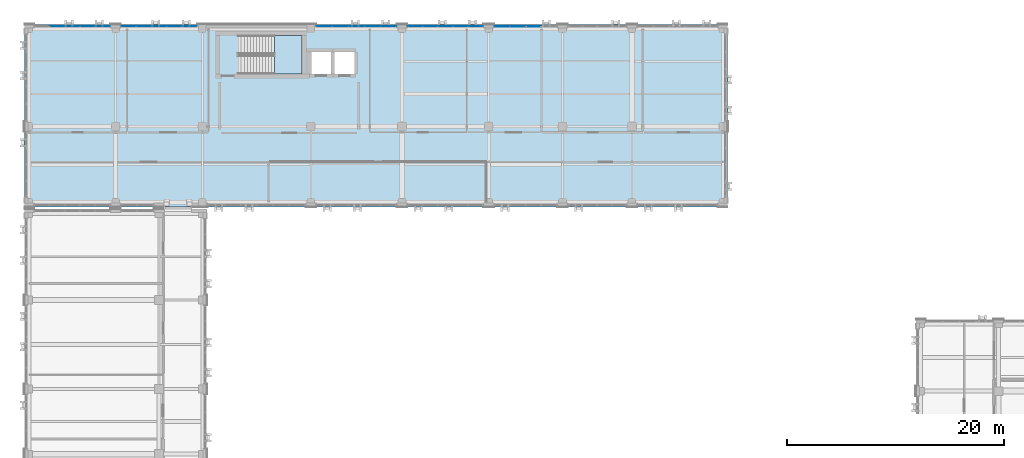
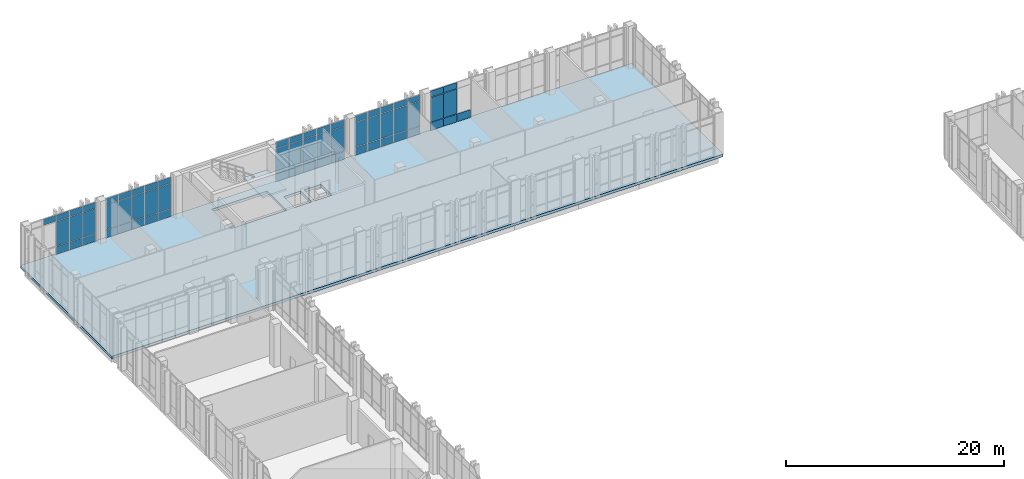
# One storey, part 144 of 189: 62 plates, 2 slabs, 6 elements without a shape of their own.
"""IFC4 building model written with IfcOpenShell, lengths in metres."""

from ifc_helpers import new_model, si_unit, direction, frame, origin, origin_2d, place, context, subcontext, project, spatial, polyline, rectangle, outline, extrude, material, layer, layer_set, type_object, element, aggregate, save


model = new_model("IFC4")

# Units and contexts
model_context = context("Model", 3, precision=1e-05, world=origin(), true_north=direction((0.0, 1.0)))
body_context = subcontext(model_context, "Body", "Model", "MODEL_VIEW")
ifc_project = project(units=[si_unit("LENGTHUNIT", "METRE"), si_unit("AREAUNIT", "SQUARE_METRE"), si_unit("VOLUMEUNIT", "CUBIC_METRE"), si_unit("PLANEANGLEUNIT", "RADIAN"), si_unit("MASSUNIT", "GRAM", prefix="KILO")], contexts=[model_context])

# Site, building, storey
site_placement = place(None, origin())
site = spatial("IfcSite", under=ifc_project, at=site_placement, CompositionType="ELEMENT")
building_placement = place(site_placement, origin())
building = spatial("IfcBuilding", under=site, at=building_placement, Name="Qalavern Law Courts", CompositionType="ELEMENT")
storey_placement = place(building_placement, frame((0.0, 0.0, 5.39990234375)))
storey = spatial("IfcBuildingStorey", under=building, at=storey_placement, Name="L01", CompositionType="ELEMENT", Elevation=5.39990234375)

# Curtain wall, plates
ifc_material_1 = material(Name="Anodised aluminium and insulated glazing", Category="aluminium")
ifc_layer_1 = layer(ifc_material_1, 0.166015625)
ifc_layer_set_1 = layer_set([ifc_layer_1], Name="Anodised aluminium and insulated glazing")
curtain_wall_type = type_object("IfcCurtainWallType", Name="ENV-CW-LIB", PredefinedType="USERDEFINED", material=ifc_layer_set_1)
curtain_wall_1_placement = place(storey_placement, origin())
curtain_wall_1 = element("IfcCurtainWall", 1, at=curtain_wall_1_placement, inside=storey, type_object=curtain_wall_type, Name="V5 unitised curtain wall L01 north 4", ObjectType="UNITISED CURTAIN WALL", PredefinedType="USERDEFINED")
ifc_material_2 = material(Name="Insulated low-E acoustic glazing", Category="glass")
ifc_layer_2 = layer(ifc_material_2, 0.02392578125)
ifc_layer_set_2 = layer_set([ifc_layer_2], Name="Insulated low-E acoustic glazing")
plate_type_1 = type_object("IfcPlateType", Name="ENV-CWP-24", PredefinedType="CURTAIN_PANEL", material=ifc_layer_set_2)
plate_1_placement = place(storey_placement, frame((43.587890625, 112.83740234375, 0.048095703125), z_axis=(0.0, 0.0, 1.0), x_axis=(-1.0, 0.0, 0.0)))
plate_1 = element("IfcPlate", 2, at=plate_1_placement, type_object=plate_type_1, Name="CW-05 panel 1.1", PredefinedType="CURTAIN_PANEL", context=body_context, shape_type="SweptSolid", body=[
    extrude(rectangle(XDim=1.327880859375, YDim=0.02392578125, at=origin_2d()), origin(), (0.0, 0.0, 1.0), 0.8779296875),
])
plate_2_placement = place(storey_placement, frame((43.587890625, 112.83740234375, 0.97412109375), z_axis=(0.0, 0.0, 1.0), x_axis=(-1.0, 0.0, 0.0)))
plate_2 = element("IfcPlate", 3, at=plate_2_placement, type_object=plate_type_1, Name="CW-05 panel 1.2", PredefinedType="CURTAIN_PANEL", context=body_context, shape_type="SweptSolid", body=[
    extrude(rectangle(XDim=1.327880859375, YDim=0.02392578125, at=origin_2d()), origin(), (0.0, 0.0, 1.0), 2.761962890625),
])
plate_3_placement = place(storey_placement, frame((43.587890625, 112.83740234375, 3.7841796875), z_axis=(0.0, 0.0, 1.0), x_axis=(-1.0, 0.0, 0.0)))
plate_3 = element("IfcPlate", 4, at=plate_3_placement, type_object=plate_type_1, Name="CW-05 panel 1.3", PredefinedType="CURTAIN_PANEL", context=body_context, shape_type="SweptSolid", body=[
    extrude(rectangle(XDim=1.327880859375, YDim=0.02392578125, at=origin_2d()), origin(), (0.0, 0.0, 1.0), 0.677978515625),
])
plate_4_placement = place(storey_placement, frame((42.199951171875, 112.83740234375, 0.048095703125), z_axis=(0.0, 0.0, 1.0), x_axis=(-1.0, 0.0, 0.0)))
plate_4 = element("IfcPlate", 5, at=plate_4_placement, type_object=plate_type_1, Name="CW-05 panel 2.1", PredefinedType="CURTAIN_PANEL", context=body_context, shape_type="SweptSolid", body=[
    extrude(rectangle(XDim=1.35205078125, YDim=0.02392578125, at=origin_2d()), origin(), (0.0, 0.0, 1.0), 0.8779296875),
])
plate_5_placement = place(storey_placement, frame((42.199951171875, 112.83740234375, 0.97412109375), z_axis=(0.0, 0.0, 1.0), x_axis=(-1.0, 0.0, 0.0)))
plate_5 = element("IfcPlate", 6, at=plate_5_placement, type_object=plate_type_1, Name="CW-05 panel 2.2", PredefinedType="CURTAIN_PANEL", context=body_context, shape_type="SweptSolid", body=[
    extrude(rectangle(XDim=1.35205078125, YDim=0.02392578125, at=origin_2d()), origin(), (0.0, 0.0, 1.0), 2.761962890625),
])
plate_6_placement = place(storey_placement, frame((42.199951171875, 112.83740234375, 3.7841796875), z_axis=(0.0, 0.0, 1.0), x_axis=(-1.0, 0.0, 0.0)))
plate_6 = element("IfcPlate", 7, at=plate_6_placement, type_object=plate_type_1, Name="CW-05 panel 2.3", PredefinedType="CURTAIN_PANEL", context=body_context, shape_type="SweptSolid", body=[
    extrude(rectangle(XDim=1.35205078125, YDim=0.02392578125, at=origin_2d()), origin(), (0.0, 0.0, 1.0), 0.677978515625),
])
plate_7_placement = place(storey_placement, frame((40.800048828125, 112.83740234375, 0.048095703125), z_axis=(0.0, 0.0, 1.0), x_axis=(-1.0, 0.0, 0.0)))
plate_7 = element("IfcPlate", 8, at=plate_7_placement, type_object=plate_type_1, Name="CW-05 panel 3.1", PredefinedType="CURTAIN_PANEL", context=body_context, shape_type="SweptSolid", body=[
    extrude(rectangle(XDim=1.35205078125, YDim=0.02392578125, at=origin_2d()), origin(), (0.0, 0.0, 1.0), 0.8779296875),
])
plate_8_placement = place(storey_placement, frame((40.800048828125, 112.83740234375, 0.97412109375), z_axis=(0.0, 0.0, 1.0), x_axis=(-1.0, 0.0, 0.0)))
plate_8 = element("IfcPlate", 9, at=plate_8_placement, type_object=plate_type_1, Name="CW-05 panel 3.2", PredefinedType="CURTAIN_PANEL", context=body_context, shape_type="SweptSolid", body=[
    extrude(rectangle(XDim=1.35205078125, YDim=0.02392578125, at=origin_2d()), origin(), (0.0, 0.0, 1.0), 2.761962890625),
])
plate_9_placement = place(storey_placement, frame((40.800048828125, 112.83740234375, 3.7841796875), z_axis=(0.0, 0.0, 1.0), x_axis=(-1.0, 0.0, 0.0)))
plate_9 = element("IfcPlate", 10, at=plate_9_placement, type_object=plate_type_1, Name="CW-05 panel 3.3", PredefinedType="CURTAIN_PANEL", context=body_context, shape_type="SweptSolid", body=[
    extrude(rectangle(XDim=1.35205078125, YDim=0.02392578125, at=origin_2d()), origin(), (0.0, 0.0, 1.0), 0.677978515625),
])
plate_10_placement = place(storey_placement, frame((39.39990234375, 112.83740234375, 0.048095703125), z_axis=(0.0, 0.0, 1.0), x_axis=(-1.0, 0.0, 0.0)))
plate_10 = element("IfcPlate", 11, at=plate_10_placement, type_object=plate_type_1, Name="CW-05 panel 4.1", PredefinedType="CURTAIN_PANEL", context=body_context, shape_type="SweptSolid", body=[
    extrude(rectangle(XDim=1.35205078125, YDim=0.02392578125, at=origin_2d()), origin(), (0.0, 0.0, 1.0), 0.8779296875),
])
plate_11_placement = place(storey_placement, frame((39.39990234375, 112.83740234375, 0.97412109375), z_axis=(0.0, 0.0, 1.0), x_axis=(-1.0, 0.0, 0.0)))
plate_11 = element("IfcPlate", 12, at=plate_11_placement, type_object=plate_type_1, Name="CW-05 panel 4.2", PredefinedType="CURTAIN_PANEL", context=body_context, shape_type="SweptSolid", body=[
    extrude(rectangle(XDim=1.35205078125, YDim=0.02392578125, at=origin_2d()), origin(), (0.0, 0.0, 1.0), 2.761962890625),
])
plate_12_placement = place(storey_placement, frame((39.39990234375, 112.83740234375, 3.7841796875), z_axis=(0.0, 0.0, 1.0), x_axis=(-1.0, 0.0, 0.0)))
plate_12 = element("IfcPlate", 13, at=plate_12_placement, type_object=plate_type_1, Name="CW-05 panel 4.3", PredefinedType="CURTAIN_PANEL", context=body_context, shape_type="SweptSolid", body=[
    extrude(rectangle(XDim=1.35205078125, YDim=0.02392578125, at=origin_2d()), origin(), (0.0, 0.0, 1.0), 0.677978515625),
])
plate_13_placement = place(storey_placement, frame((38.011962890625, 112.83740234375, 0.048095703125), z_axis=(0.0, 0.0, 1.0), x_axis=(-1.0, 0.0, 0.0)))
plate_13 = element("IfcPlate", 14, at=plate_13_placement, type_object=plate_type_1, Name="CW-05 panel 5.1", PredefinedType="CURTAIN_PANEL", context=body_context, shape_type="SweptSolid", body=[
    extrude(rectangle(XDim=1.327880859375, YDim=0.02392578125, at=origin_2d()), origin(), (0.0, 0.0, 1.0), 0.8779296875),
])
plate_14_placement = place(storey_placement, frame((38.011962890625, 112.83740234375, 0.97412109375), z_axis=(0.0, 0.0, 1.0), x_axis=(-1.0, 0.0, 0.0)))
plate_14 = element("IfcPlate", 15, at=plate_14_placement, type_object=plate_type_1, Name="CW-05 panel 5.2", PredefinedType="CURTAIN_PANEL", context=body_context, shape_type="SweptSolid", body=[
    extrude(rectangle(XDim=1.327880859375, YDim=0.02392578125, at=origin_2d()), origin(), (0.0, 0.0, 1.0), 2.761962890625),
])
plate_15_placement = place(storey_placement, frame((38.011962890625, 112.83740234375, 3.7841796875), z_axis=(0.0, 0.0, 1.0), x_axis=(-1.0, 0.0, 0.0)))
plate_15 = element("IfcPlate", 16, at=plate_15_placement, type_object=plate_type_1, Name="CW-05 panel 5.3", PredefinedType="CURTAIN_PANEL", context=body_context, shape_type="SweptSolid", body=[
    extrude(rectangle(XDim=1.327880859375, YDim=0.02392578125, at=origin_2d()), origin(), (0.0, 0.0, 1.0), 0.677978515625),
])
aggregate(curtain_wall_1, [plate_1, plate_2, plate_3, plate_4, plate_5, plate_6, plate_7, plate_8, plate_9, plate_10, plate_11, plate_12, plate_13, plate_14, plate_15])

curtain_wall_2_placement = place(storey_placement, origin())
curtain_wall_2 = element("IfcCurtainWall", 17, at=curtain_wall_2_placement, inside=storey, type_object=curtain_wall_type, Name="V5 unitised curtain wall L01 north 5", ObjectType="UNITISED CURTAIN WALL", PredefinedType="USERDEFINED")
ifc_layer_3 = layer(ifc_material_2, 0.028076171875)
ifc_layer_set_3 = layer_set([ifc_layer_3], Name="Insulated low-E acoustic glazing")
plate_type_2 = type_object("IfcPlateType", Name="ENV-CWP-28", PredefinedType="CURTAIN_PANEL", material=ifc_layer_set_3)
plate_16_placement = place(storey_placement, frame((35.548095703125, 112.83740234375, 0.048095703125), z_axis=(0.0, 0.0, 1.0), x_axis=(-1.0, 0.0, 0.0)))
plate_16 = element("IfcPlate", 18, at=plate_16_placement, type_object=plate_type_2, Name="CW-05 panel 1.1", PredefinedType="CURTAIN_PANEL", context=body_context, shape_type="SweptSolid", body=[
    extrude(rectangle(XDim=1.407958984375, YDim=0.028076171875, at=origin_2d()), origin(), (0.0, 0.0, 1.0), 0.8779296875),
])
plate_17_placement = place(storey_placement, frame((35.548095703125, 112.83740234375, 0.97412109375), z_axis=(0.0, 0.0, 1.0), x_axis=(-1.0, 0.0, 0.0)))
plate_17 = element("IfcPlate", 19, at=plate_17_placement, type_object=plate_type_2, Name="CW-05 panel 1.2", PredefinedType="CURTAIN_PANEL", context=body_context, shape_type="SweptSolid", body=[
    extrude(rectangle(XDim=1.407958984375, YDim=0.028076171875, at=origin_2d()), origin(), (0.0, 0.0, 1.0), 2.761962890625),
])
plate_18_placement = place(storey_placement, frame((35.548095703125, 112.83740234375, 3.7841796875), z_axis=(0.0, 0.0, 1.0), x_axis=(-1.0, 0.0, 0.0)))
plate_18 = element("IfcPlate", 20, at=plate_18_placement, type_object=plate_type_2, Name="CW-05 panel 1.3", PredefinedType="CURTAIN_PANEL", context=body_context, shape_type="SweptSolid", body=[
    extrude(rectangle(XDim=1.407958984375, YDim=0.028076171875, at=origin_2d()), origin(), (0.0, 0.0, 1.0), 0.677978515625),
])
plate_19_placement = place(storey_placement, frame((34.080078125, 112.83740234375, 0.048095703125), z_axis=(0.0, 0.0, 1.0), x_axis=(-1.0, 0.0, 0.0)))
plate_19 = element("IfcPlate", 21, at=plate_19_placement, type_object=plate_type_2, Name="CW-05 panel 2.1", PredefinedType="CURTAIN_PANEL", context=body_context, shape_type="SweptSolid", body=[
    extrude(rectangle(XDim=1.431884765625, YDim=0.028076171875, at=origin_2d()), origin(), (0.0, 0.0, 1.0), 0.8779296875),
])
plate_20_placement = place(storey_placement, frame((34.080078125, 112.83740234375, 0.97412109375), z_axis=(0.0, 0.0, 1.0), x_axis=(-1.0, 0.0, 0.0)))
plate_20 = element("IfcPlate", 22, at=plate_20_placement, type_object=plate_type_2, Name="CW-05 panel 2.2", PredefinedType="CURTAIN_PANEL", context=body_context, shape_type="SweptSolid", body=[
    extrude(rectangle(XDim=1.431884765625, YDim=0.028076171875, at=origin_2d()), origin(), (0.0, 0.0, 1.0), 2.761962890625),
])
plate_21_placement = place(storey_placement, frame((34.080078125, 112.83740234375, 3.7841796875), z_axis=(0.0, 0.0, 1.0), x_axis=(-1.0, 0.0, 0.0)))
plate_21 = element("IfcPlate", 23, at=plate_21_placement, type_object=plate_type_2, Name="CW-05 panel 2.3", PredefinedType="CURTAIN_PANEL", context=body_context, shape_type="SweptSolid", body=[
    extrude(rectangle(XDim=1.431884765625, YDim=0.028076171875, at=origin_2d()), origin(), (0.0, 0.0, 1.0), 0.677978515625),
])
plate_22_placement = place(storey_placement, frame((32.60009765625, 112.83740234375, 0.048095703125), z_axis=(0.0, 0.0, 1.0), x_axis=(-1.0, 0.0, 0.0)))
plate_22 = element("IfcPlate", 24, at=plate_22_placement, type_object=plate_type_2, Name="CW-05 panel 3.1", PredefinedType="CURTAIN_PANEL", context=body_context, shape_type="SweptSolid", body=[
    extrude(rectangle(XDim=1.431884765625, YDim=0.028076171875, at=origin_2d()), origin(), (0.0, 0.0, 1.0), 0.8779296875),
])
plate_23_placement = place(storey_placement, frame((32.60009765625, 112.83740234375, 0.97412109375), z_axis=(0.0, 0.0, 1.0), x_axis=(-1.0, 0.0, 0.0)))
plate_23 = element("IfcPlate", 25, at=plate_23_placement, type_object=plate_type_2, Name="CW-05 panel 3.2", PredefinedType="CURTAIN_PANEL", context=body_context, shape_type="SweptSolid", body=[
    extrude(rectangle(XDim=1.431884765625, YDim=0.028076171875, at=origin_2d()), origin(), (0.0, 0.0, 1.0), 2.761962890625),
])
plate_24_placement = place(storey_placement, frame((32.60009765625, 112.83740234375, 3.7841796875), z_axis=(0.0, 0.0, 1.0), x_axis=(-1.0, 0.0, 0.0)))
plate_24 = element("IfcPlate", 26, at=plate_24_placement, type_object=plate_type_2, Name="CW-05 panel 3.3", PredefinedType="CURTAIN_PANEL", context=body_context, shape_type="SweptSolid", body=[
    extrude(rectangle(XDim=1.431884765625, YDim=0.028076171875, at=origin_2d()), origin(), (0.0, 0.0, 1.0), 0.677978515625),
])
plate_25_placement = place(storey_placement, frame((31.1201171875, 112.83740234375, 0.048095703125), z_axis=(0.0, 0.0, 1.0), x_axis=(-1.0, 0.0, 0.0)))
plate_25 = element("IfcPlate", 27, at=plate_25_placement, type_object=plate_type_2, Name="CW-05 panel 4.1", PredefinedType="CURTAIN_PANEL", context=body_context, shape_type="SweptSolid", body=[
    extrude(rectangle(XDim=1.431884765625, YDim=0.028076171875, at=origin_2d()), origin(), (0.0, 0.0, 1.0), 0.8779296875),
])
plate_26_placement = place(storey_placement, frame((31.1201171875, 112.83740234375, 0.97412109375), z_axis=(0.0, 0.0, 1.0), x_axis=(-1.0, 0.0, 0.0)))
plate_26 = element("IfcPlate", 28, at=plate_26_placement, type_object=plate_type_2, Name="CW-05 panel 4.2", PredefinedType="CURTAIN_PANEL", context=body_context, shape_type="SweptSolid", body=[
    extrude(rectangle(XDim=1.431884765625, YDim=0.028076171875, at=origin_2d()), origin(), (0.0, 0.0, 1.0), 2.761962890625),
])
plate_27_placement = place(storey_placement, frame((31.1201171875, 112.83740234375, 3.7841796875), z_axis=(0.0, 0.0, 1.0), x_axis=(-1.0, 0.0, 0.0)))
plate_27 = element("IfcPlate", 29, at=plate_27_placement, type_object=plate_type_2, Name="CW-05 panel 4.3", PredefinedType="CURTAIN_PANEL", context=body_context, shape_type="SweptSolid", body=[
    extrude(rectangle(XDim=1.431884765625, YDim=0.028076171875, at=origin_2d()), origin(), (0.0, 0.0, 1.0), 0.677978515625),
])
plate_28_placement = place(storey_placement, frame((29.652099609375, 112.83740234375, 0.048095703125), z_axis=(0.0, 0.0, 1.0), x_axis=(-1.0, 0.0, 0.0)))
plate_28 = element("IfcPlate", 30, at=plate_28_placement, type_object=plate_type_2, Name="CW-05 panel 5.1", PredefinedType="CURTAIN_PANEL", context=body_context, shape_type="SweptSolid", body=[
    extrude(rectangle(XDim=1.407958984375, YDim=0.028076171875, at=origin_2d()), origin(), (0.0, 0.0, 1.0), 0.8779296875),
])
plate_29_placement = place(storey_placement, frame((29.652099609375, 112.83740234375, 0.97412109375), z_axis=(0.0, 0.0, 1.0), x_axis=(-1.0, 0.0, 0.0)))
plate_29 = element("IfcPlate", 31, at=plate_29_placement, type_object=plate_type_2, Name="CW-05 panel 5.2", PredefinedType="CURTAIN_PANEL", context=body_context, shape_type="SweptSolid", body=[
    extrude(rectangle(XDim=1.407958984375, YDim=0.028076171875, at=origin_2d()), origin(), (0.0, 0.0, 1.0), 2.761962890625),
])
plate_30_placement = place(storey_placement, frame((29.652099609375, 112.83740234375, 3.7841796875), z_axis=(0.0, 0.0, 1.0), x_axis=(-1.0, 0.0, 0.0)))
plate_30 = element("IfcPlate", 32, at=plate_30_placement, type_object=plate_type_2, Name="CW-05 panel 5.3", PredefinedType="CURTAIN_PANEL", context=body_context, shape_type="SweptSolid", body=[
    extrude(rectangle(XDim=1.407958984375, YDim=0.028076171875, at=origin_2d()), origin(), (0.0, 0.0, 1.0), 0.677978515625),
])
aggregate(curtain_wall_2, [plate_16, plate_17, plate_18, plate_19, plate_20, plate_21, plate_22, plate_23, plate_24, plate_25, plate_26, plate_27, plate_28, plate_29, plate_30])

curtain_wall_3_placement = place(storey_placement, origin())
curtain_wall_3 = element("IfcCurtainWall", 33, at=curtain_wall_3_placement, inside=storey, type_object=curtain_wall_type, Name="V5 unitised curtain wall L01 north 6", ObjectType="UNITISED CURTAIN WALL", PredefinedType="USERDEFINED")
ifc_layer_4 = layer(ifc_material_2, 0.031982421875)
ifc_layer_set_4 = layer_set([ifc_layer_4], Name="Insulated low-E acoustic glazing")
plate_type_3 = type_object("IfcPlateType", Name="ENV-CWP-32", PredefinedType="CURTAIN_PANEL", material=ifc_layer_set_4)
plate_31_placement = place(storey_placement, frame((17.18798828125, 112.83740234375, 0.048095703125), z_axis=(0.0, 0.0, 1.0), x_axis=(-1.0, 0.0, 0.0)))
plate_31 = element("IfcPlate", 34, at=plate_31_placement, type_object=plate_type_3, Name="CW-05 panel 1.1", PredefinedType="CURTAIN_PANEL", context=body_context, shape_type="SweptSolid", body=[
    extrude(rectangle(XDim=1.327880859375, YDim=0.031982421875, at=origin_2d()), origin(), (0.0, 0.0, 1.0), 0.8779296875),
])
plate_32_placement = place(storey_placement, frame((17.18798828125, 112.83740234375, 0.97412109375), z_axis=(0.0, 0.0, 1.0), x_axis=(-1.0, 0.0, 0.0)))
plate_32 = element("IfcPlate", 35, at=plate_32_placement, type_object=plate_type_3, Name="CW-05 panel 1.2", PredefinedType="CURTAIN_PANEL", context=body_context, shape_type="SweptSolid", body=[
    extrude(rectangle(XDim=1.327880859375, YDim=0.031982421875, at=origin_2d()), origin(), (0.0, 0.0, 1.0), 2.761962890625),
])
plate_33_placement = place(storey_placement, frame((17.18798828125, 112.83740234375, 3.7841796875), z_axis=(0.0, 0.0, 1.0), x_axis=(-1.0, 0.0, 0.0)))
plate_33 = element("IfcPlate", 36, at=plate_33_placement, type_object=plate_type_3, Name="CW-05 panel 1.3", PredefinedType="CURTAIN_PANEL", context=body_context, shape_type="SweptSolid", body=[
    extrude(rectangle(XDim=1.327880859375, YDim=0.031982421875, at=origin_2d()), origin(), (0.0, 0.0, 1.0), 0.677978515625),
])
plate_34_placement = place(storey_placement, frame((15.800048828125, 112.83740234375, 0.048095703125), z_axis=(0.0, 0.0, 1.0), x_axis=(-1.0, 0.0, 0.0)))
plate_34 = element("IfcPlate", 37, at=plate_34_placement, type_object=plate_type_3, Name="CW-05 panel 2.1", PredefinedType="CURTAIN_PANEL", context=body_context, shape_type="SweptSolid", body=[
    extrude(rectangle(XDim=1.35205078125, YDim=0.031982421875, at=origin_2d()), origin(), (0.0, 0.0, 1.0), 0.8779296875),
])
plate_35_placement = place(storey_placement, frame((15.800048828125, 112.83740234375, 0.97412109375), z_axis=(0.0, 0.0, 1.0), x_axis=(-1.0, 0.0, 0.0)))
plate_35 = element("IfcPlate", 38, at=plate_35_placement, type_object=plate_type_3, Name="CW-05 panel 2.2", PredefinedType="CURTAIN_PANEL", context=body_context, shape_type="SweptSolid", body=[
    extrude(rectangle(XDim=1.35205078125, YDim=0.031982421875, at=origin_2d()), origin(), (0.0, 0.0, 1.0), 2.761962890625),
])
plate_36_placement = place(storey_placement, frame((15.800048828125, 112.83740234375, 3.7841796875), z_axis=(0.0, 0.0, 1.0), x_axis=(-1.0, 0.0, 0.0)))
plate_36 = element("IfcPlate", 39, at=plate_36_placement, type_object=plate_type_3, Name="CW-05 panel 2.3", PredefinedType="CURTAIN_PANEL", context=body_context, shape_type="SweptSolid", body=[
    extrude(rectangle(XDim=1.35205078125, YDim=0.031982421875, at=origin_2d()), origin(), (0.0, 0.0, 1.0), 0.677978515625),
])
plate_37_placement = place(storey_placement, frame((14.39990234375, 112.83740234375, 0.048095703125), z_axis=(0.0, 0.0, 1.0), x_axis=(-1.0, 0.0, 0.0)))
plate_37 = element("IfcPlate", 40, at=plate_37_placement, type_object=plate_type_3, Name="CW-05 panel 3.1", PredefinedType="CURTAIN_PANEL", context=body_context, shape_type="SweptSolid", body=[
    extrude(rectangle(XDim=1.35205078125, YDim=0.031982421875, at=origin_2d()), origin(), (0.0, 0.0, 1.0), 0.8779296875),
])
plate_38_placement = place(storey_placement, frame((14.39990234375, 112.83740234375, 0.97412109375), z_axis=(0.0, 0.0, 1.0), x_axis=(-1.0, 0.0, 0.0)))
plate_38 = element("IfcPlate", 41, at=plate_38_placement, type_object=plate_type_3, Name="CW-05 panel 3.2", PredefinedType="CURTAIN_PANEL", context=body_context, shape_type="SweptSolid", body=[
    extrude(rectangle(XDim=1.35205078125, YDim=0.031982421875, at=origin_2d()), origin(), (0.0, 0.0, 1.0), 2.761962890625),
])
plate_39_placement = place(storey_placement, frame((14.39990234375, 112.83740234375, 3.7841796875), z_axis=(0.0, 0.0, 1.0), x_axis=(-1.0, 0.0, 0.0)))
plate_39 = element("IfcPlate", 42, at=plate_39_placement, type_object=plate_type_3, Name="CW-05 panel 3.3", PredefinedType="CURTAIN_PANEL", context=body_context, shape_type="SweptSolid", body=[
    extrude(rectangle(XDim=1.35205078125, YDim=0.031982421875, at=origin_2d()), origin(), (0.0, 0.0, 1.0), 0.677978515625),
])
plate_40_placement = place(storey_placement, frame((13.0, 112.83740234375, 0.048095703125), z_axis=(0.0, 0.0, 1.0), x_axis=(-1.0, 0.0, 0.0)))
plate_40 = element("IfcPlate", 43, at=plate_40_placement, type_object=plate_type_3, Name="CW-05 panel 4.1", PredefinedType="CURTAIN_PANEL", context=body_context, shape_type="SweptSolid", body=[
    extrude(rectangle(XDim=1.35205078125, YDim=0.031982421875, at=origin_2d()), origin(), (0.0, 0.0, 1.0), 0.8779296875),
])
plate_41_placement = place(storey_placement, frame((13.0, 112.83740234375, 0.97412109375), z_axis=(0.0, 0.0, 1.0), x_axis=(-1.0, 0.0, 0.0)))
plate_41 = element("IfcPlate", 44, at=plate_41_placement, type_object=plate_type_3, Name="CW-05 panel 4.2", PredefinedType="CURTAIN_PANEL", context=body_context, shape_type="SweptSolid", body=[
    extrude(rectangle(XDim=1.35205078125, YDim=0.031982421875, at=origin_2d()), origin(), (0.0, 0.0, 1.0), 2.761962890625),
])
plate_42_placement = place(storey_placement, frame((13.0, 112.83740234375, 3.7841796875), z_axis=(0.0, 0.0, 1.0), x_axis=(-1.0, 0.0, 0.0)))
plate_42 = element("IfcPlate", 45, at=plate_42_placement, type_object=plate_type_3, Name="CW-05 panel 4.3", PredefinedType="CURTAIN_PANEL", context=body_context, shape_type="SweptSolid", body=[
    extrude(rectangle(XDim=1.35205078125, YDim=0.031982421875, at=origin_2d()), origin(), (0.0, 0.0, 1.0), 0.677978515625),
])
plate_43_placement = place(storey_placement, frame((11.612060546875, 112.83740234375, 0.048095703125), z_axis=(0.0, 0.0, 1.0), x_axis=(-1.0, 0.0, 0.0)))
plate_43 = element("IfcPlate", 46, at=plate_43_placement, type_object=plate_type_3, Name="CW-05 panel 5.1", PredefinedType="CURTAIN_PANEL", context=body_context, shape_type="SweptSolid", body=[
    extrude(rectangle(XDim=1.327880859375, YDim=0.031982421875, at=origin_2d()), origin(), (0.0, 0.0, 1.0), 0.8779296875),
])
plate_44_placement = place(storey_placement, frame((11.612060546875, 112.83740234375, 0.97412109375), z_axis=(0.0, 0.0, 1.0), x_axis=(-1.0, 0.0, 0.0)))
plate_44 = element("IfcPlate", 47, at=plate_44_placement, type_object=plate_type_3, Name="CW-05 panel 5.2", PredefinedType="CURTAIN_PANEL", context=body_context, shape_type="SweptSolid", body=[
    extrude(rectangle(XDim=1.327880859375, YDim=0.031982421875, at=origin_2d()), origin(), (0.0, 0.0, 1.0), 2.761962890625),
])
plate_45_placement = place(storey_placement, frame((11.612060546875, 112.83740234375, 3.7841796875), z_axis=(0.0, 0.0, 1.0), x_axis=(-1.0, 0.0, 0.0)))
plate_45 = element("IfcPlate", 48, at=plate_45_placement, type_object=plate_type_3, Name="CW-05 panel 5.3", PredefinedType="CURTAIN_PANEL", context=body_context, shape_type="SweptSolid", body=[
    extrude(rectangle(XDim=1.327880859375, YDim=0.031982421875, at=origin_2d()), origin(), (0.0, 0.0, 1.0), 0.677978515625),
])
aggregate(curtain_wall_3, [plate_31, plate_32, plate_33, plate_34, plate_35, plate_36, plate_37, plate_38, plate_39, plate_40, plate_41, plate_42, plate_43, plate_44, plate_45])

curtain_wall_4_placement = place(storey_placement, origin())
curtain_wall_4 = element("IfcCurtainWall", 49, at=curtain_wall_4_placement, inside=storey, type_object=curtain_wall_type, Name="V5 unitised curtain wall L01 north 7", ObjectType="UNITISED CURTAIN WALL", PredefinedType="USERDEFINED")
ifc_layer_5 = layer(ifc_material_2, 0.035888671875)
ifc_layer_set_5 = layer_set([ifc_layer_5], Name="Insulated low-E acoustic glazing")
plate_type_4 = type_object("IfcPlateType", Name="ENV-CWP-36", PredefinedType="CURTAIN_PANEL", material=ifc_layer_set_5)
plate_46_placement = place(storey_placement, frame((9.18798828125, 112.83740234375, 0.048095703125), z_axis=(0.0, 0.0, 1.0), x_axis=(-1.0, 0.0, 0.0)))
plate_46 = element("IfcPlate", 50, at=plate_46_placement, type_object=plate_type_4, Name="CW-05 panel 1.1", PredefinedType="CURTAIN_PANEL", context=body_context, shape_type="SweptSolid", body=[
    extrude(rectangle(XDim=1.327880859375, YDim=0.035888671875, at=origin_2d()), origin(), (0.0, 0.0, 1.0), 0.8779296875),
])
plate_47_placement = place(storey_placement, frame((9.18798828125, 112.83740234375, 0.97412109375), z_axis=(0.0, 0.0, 1.0), x_axis=(-1.0, 0.0, 0.0)))
plate_47 = element("IfcPlate", 51, at=plate_47_placement, type_object=plate_type_4, Name="CW-05 panel 1.2", PredefinedType="CURTAIN_PANEL", context=body_context, shape_type="SweptSolid", body=[
    extrude(rectangle(XDim=1.327880859375, YDim=0.035888671875, at=origin_2d()), origin(), (0.0, 0.0, 1.0), 2.761962890625),
])
plate_48_placement = place(storey_placement, frame((9.18798828125, 112.83740234375, 3.7841796875), z_axis=(0.0, 0.0, 1.0), x_axis=(-1.0, 0.0, 0.0)))
plate_48 = element("IfcPlate", 52, at=plate_48_placement, type_object=plate_type_4, Name="CW-05 panel 1.3", PredefinedType="CURTAIN_PANEL", context=body_context, shape_type="SweptSolid", body=[
    extrude(rectangle(XDim=1.327880859375, YDim=0.035888671875, at=origin_2d()), origin(), (0.0, 0.0, 1.0), 0.677978515625),
])
plate_49_placement = place(storey_placement, frame((7.800048828125, 112.83740234375, 0.048095703125), z_axis=(0.0, 0.0, 1.0), x_axis=(-1.0, 0.0, 0.0)))
plate_49 = element("IfcPlate", 53, at=plate_49_placement, type_object=plate_type_4, Name="CW-05 panel 2.1", PredefinedType="CURTAIN_PANEL", context=body_context, shape_type="SweptSolid", body=[
    extrude(rectangle(XDim=1.35205078125, YDim=0.035888671875, at=origin_2d()), origin(), (0.0, 0.0, 1.0), 0.8779296875),
])
plate_50_placement = place(storey_placement, frame((7.800048828125, 112.83740234375, 0.97412109375), z_axis=(0.0, 0.0, 1.0), x_axis=(-1.0, 0.0, 0.0)))
plate_50 = element("IfcPlate", 54, at=plate_50_placement, type_object=plate_type_4, Name="CW-05 panel 2.2", PredefinedType="CURTAIN_PANEL", context=body_context, shape_type="SweptSolid", body=[
    extrude(rectangle(XDim=1.35205078125, YDim=0.035888671875, at=origin_2d()), origin(), (0.0, 0.0, 1.0), 2.761962890625),
])
plate_51_placement = place(storey_placement, frame((7.800048828125, 112.83740234375, 3.7841796875), z_axis=(0.0, 0.0, 1.0), x_axis=(-1.0, 0.0, 0.0)))
plate_51 = element("IfcPlate", 55, at=plate_51_placement, type_object=plate_type_4, Name="CW-05 panel 2.3", PredefinedType="CURTAIN_PANEL", context=body_context, shape_type="SweptSolid", body=[
    extrude(rectangle(XDim=1.35205078125, YDim=0.035888671875, at=origin_2d()), origin(), (0.0, 0.0, 1.0), 0.677978515625),
])
plate_52_placement = place(storey_placement, frame((6.39990234375, 112.83740234375, 0.048095703125), z_axis=(0.0, 0.0, 1.0), x_axis=(-1.0, 0.0, 0.0)))
plate_52 = element("IfcPlate", 56, at=plate_52_placement, type_object=plate_type_4, Name="CW-05 panel 3.1", PredefinedType="CURTAIN_PANEL", context=body_context, shape_type="SweptSolid", body=[
    extrude(rectangle(XDim=1.35205078125, YDim=0.035888671875, at=origin_2d()), origin(), (0.0, 0.0, 1.0), 0.8779296875),
])
plate_53_placement = place(storey_placement, frame((6.39990234375, 112.83740234375, 0.97412109375), z_axis=(0.0, 0.0, 1.0), x_axis=(-1.0, 0.0, 0.0)))
plate_53 = element("IfcPlate", 57, at=plate_53_placement, type_object=plate_type_4, Name="CW-05 panel 3.2", PredefinedType="CURTAIN_PANEL", context=body_context, shape_type="SweptSolid", body=[
    extrude(rectangle(XDim=1.35205078125, YDim=0.035888671875, at=origin_2d()), origin(), (0.0, 0.0, 1.0), 2.761962890625),
])
plate_54_placement = place(storey_placement, frame((6.39990234375, 112.83740234375, 3.7841796875), z_axis=(0.0, 0.0, 1.0), x_axis=(-1.0, 0.0, 0.0)))
plate_54 = element("IfcPlate", 58, at=plate_54_placement, type_object=plate_type_4, Name="CW-05 panel 3.3", PredefinedType="CURTAIN_PANEL", context=body_context, shape_type="SweptSolid", body=[
    extrude(rectangle(XDim=1.35205078125, YDim=0.035888671875, at=origin_2d()), origin(), (0.0, 0.0, 1.0), 0.677978515625),
])
plate_55_placement = place(storey_placement, frame((5.0, 112.83740234375, 3.7841796875), z_axis=(0.0, 0.0, 1.0), x_axis=(-1.0, 0.0, 0.0)))
plate_55 = element("IfcPlate", 59, at=plate_55_placement, type_object=plate_type_4, Name="CW-05 panel 4.3", PredefinedType="CURTAIN_PANEL", context=body_context, shape_type="SweptSolid", body=[
    extrude(rectangle(XDim=1.35205078125, YDim=0.035888671875, at=origin_2d()), origin(), (0.0, 0.0, 1.0), 0.677978515625),
])
aggregate(curtain_wall_4, [plate_46, plate_47, plate_48, plate_49, plate_50, plate_51, plate_52, plate_53, plate_54, plate_55])

curtain_wall_5_placement = place(storey_placement, origin())
curtain_wall_5 = element("IfcCurtainWall", 60, at=curtain_wall_5_placement, inside=storey, type_object=curtain_wall_type, Name="V5 unitised curtain wall L01 north 3", ObjectType="UNITISED CURTAIN WALL", PredefinedType="USERDEFINED")
ifc_layer_6 = layer(ifc_material_2, 0.052001953125)
ifc_layer_set_6 = layer_set([ifc_layer_6], Name="Insulated low-E acoustic glazing")
plate_type_5 = type_object("IfcPlateType", Name="ENV-CWP-52", PredefinedType="CURTAIN_PANEL", material=ifc_layer_set_6)
plate_56_placement = place(storey_placement, frame((48.925048828125, 112.83740234375, 0.048095703125), z_axis=(0.0, 0.0, 1.0), x_axis=(-1.0, 0.0, 0.0)))
plate_56 = element("IfcPlate", 61, at=plate_56_placement, type_object=plate_type_5, Name="CW-05 panel 2.1", PredefinedType="CURTAIN_PANEL", context=body_context, shape_type="SweptSolid", body=[
    extrude(rectangle(XDim=1.402099609375, YDim=0.052001953125, at=origin_2d()), origin(), (0.0, 0.0, 1.0), 0.8779296875),
])
plate_57_placement = place(storey_placement, frame((47.47509765625, 112.83740234375, 0.048095703125), z_axis=(0.0, 0.0, 1.0), x_axis=(-1.0, 0.0, 0.0)))
plate_57 = element("IfcPlate", 62, at=plate_57_placement, type_object=plate_type_5, Name="CW-05 panel 3.1", PredefinedType="CURTAIN_PANEL", context=body_context, shape_type="SweptSolid", body=[
    extrude(rectangle(XDim=1.402099609375, YDim=0.052001953125, at=origin_2d()), origin(), (0.0, 0.0, 1.0), 0.8779296875),
])
plate_58_placement = place(storey_placement, frame((47.47509765625, 112.83740234375, 0.97412109375), z_axis=(0.0, 0.0, 1.0), x_axis=(-1.0, 0.0, 0.0)))
plate_58 = element("IfcPlate", 63, at=plate_58_placement, type_object=plate_type_5, Name="CW-05 panel 3.2", PredefinedType="CURTAIN_PANEL", context=body_context, shape_type="SweptSolid", body=[
    extrude(rectangle(XDim=1.402099609375, YDim=0.052001953125, at=origin_2d()), origin(), (0.0, 0.0, 1.0), 2.761962890625),
])
plate_59_placement = place(storey_placement, frame((47.47509765625, 112.83740234375, 3.7841796875), z_axis=(0.0, 0.0, 1.0), x_axis=(-1.0, 0.0, 0.0)))
plate_59 = element("IfcPlate", 64, at=plate_59_placement, type_object=plate_type_5, Name="CW-05 panel 3.3", PredefinedType="CURTAIN_PANEL", context=body_context, shape_type="SweptSolid", body=[
    extrude(rectangle(XDim=1.402099609375, YDim=0.052001953125, at=origin_2d()), origin(), (0.0, 0.0, 1.0), 0.677978515625),
])
plate_60_placement = place(storey_placement, frame((46.037109375, 112.83740234375, 0.048095703125), z_axis=(0.0, 0.0, 1.0), x_axis=(-1.0, 0.0, 0.0)))
plate_60 = element("IfcPlate", 65, at=plate_60_placement, type_object=plate_type_5, Name="CW-05 panel 4.1", PredefinedType="CURTAIN_PANEL", context=body_context, shape_type="SweptSolid", body=[
    extrude(rectangle(XDim=1.3779296875, YDim=0.052001953125, at=origin_2d()), origin(), (0.0, 0.0, 1.0), 0.8779296875),
])
plate_61_placement = place(storey_placement, frame((46.037109375, 112.83740234375, 0.97412109375), z_axis=(0.0, 0.0, 1.0), x_axis=(-1.0, 0.0, 0.0)))
plate_61 = element("IfcPlate", 66, at=plate_61_placement, type_object=plate_type_5, Name="CW-05 panel 4.2", PredefinedType="CURTAIN_PANEL", context=body_context, shape_type="SweptSolid", body=[
    extrude(rectangle(XDim=1.3779296875, YDim=0.052001953125, at=origin_2d()), origin(), (0.0, 0.0, 1.0), 2.761962890625),
])
plate_62_placement = place(storey_placement, frame((46.037109375, 112.83740234375, 3.7841796875), z_axis=(0.0, 0.0, 1.0), x_axis=(-1.0, 0.0, 0.0)))
plate_62 = element("IfcPlate", 67, at=plate_62_placement, type_object=plate_type_5, Name="CW-05 panel 4.3", PredefinedType="CURTAIN_PANEL", context=body_context, shape_type="SweptSolid", body=[
    extrude(rectangle(XDim=1.3779296875, YDim=0.052001953125, at=origin_2d()), origin(), (0.0, 0.0, 1.0), 0.677978515625),
])
aggregate(curtain_wall_5, [plate_56, plate_57, plate_58, plate_59, plate_60, plate_61, plate_62])

# Stair, slab
ifc_material_3 = material(Name="Concrete C35/45", Category="concrete")
stair_type = type_object("IfcStairType", Name="INT-STAIR-1700", PredefinedType="HALF_TURN_STAIR", material=ifc_material_3)
stair_placement = place(storey_placement, origin())
stair = element("IfcStair", 68, at=stair_placement, inside=storey, type_object=stair_type, Name="L01 ST-K3", PredefinedType="HALF_TURN_STAIR")
ifc_layer_7 = layer(ifc_material_3, 0.199951171875)
ifc_layer_set_7 = layer_set([ifc_layer_7], Name="Concrete C35/45")
slab_type_1 = type_object("IfcSlabType", Name="INT-LANDING-200", PredefinedType="LANDING", material=ifc_layer_set_7)
slab_1_placement = place(storey_placement, frame((0.0, 0.0, 2.2001953125)))
slab_1 = element("IfcSlab", 69, at=slab_1_placement, type_object=slab_type_1, Name="ST-K3 landing 1", PredefinedType="LANDING", context=body_context, shape_type="SweptSolid", body=[
    extrude(outline(polyline([(25.06005859375, 108.449951171875), (27.60009765625, 108.449951171875), (27.60009765625, 112.0), (25.06005859375, 112.0), (25.06005859375, 108.449951171875)])), origin(), (0.0, 0.0, 1.0), 0.199951171875),
])
aggregate(stair, [slab_1])

# Slab
ifc_material_4 = material(Name="Concrete C40/50", Category="concrete")
ifc_layer_8 = layer(ifc_material_4, 0.300048828125)
ifc_layer_set_8 = layer_set([ifc_layer_8], Name="Concrete C40/50")
slab_type_2 = type_object("IfcSlabType", Name="STR-SLB-L01-300", PredefinedType="FLOOR", material=ifc_layer_set_8)
slab_2_placement = place(storey_placement, frame((0.0, 0.0, -0.2998046875)))
element("IfcSlab", 70, at=slab_2_placement, inside=storey, type_object=slab_type_2, Name="V5 floor slab L01", PredefinedType="FLOOR", context=body_context, shape_type="SweptSolid", body=[
    extrude(outline(polyline([(2.0, 96.199951171875), (66.800048828125, 96.199951171875), (66.800048828125, 113.0), (2.0, 113.0), (2.0, 96.199951171875)]), holes=[polyline([(21.739990234375, 108.449951171875), (27.60009765625, 108.449951171875), (27.60009765625, 112.0), (21.739990234375, 112.0), (21.739990234375, 108.449951171875)]), polyline([(28.449951171875, 108.449951171875), (30.25, 108.449951171875), (30.25, 110.449951171875), (28.449951171875, 110.449951171875), (28.449951171875, 108.449951171875)]), polyline([(30.60009765625, 108.449951171875), (32.39990234375, 108.449951171875), (32.39990234375, 110.449951171875), (30.60009765625, 110.449951171875), (30.60009765625, 108.449951171875)])]), origin(), (0.0, 0.0, 1.0), 0.2998046875),
])

save(model, "model.ifc")
